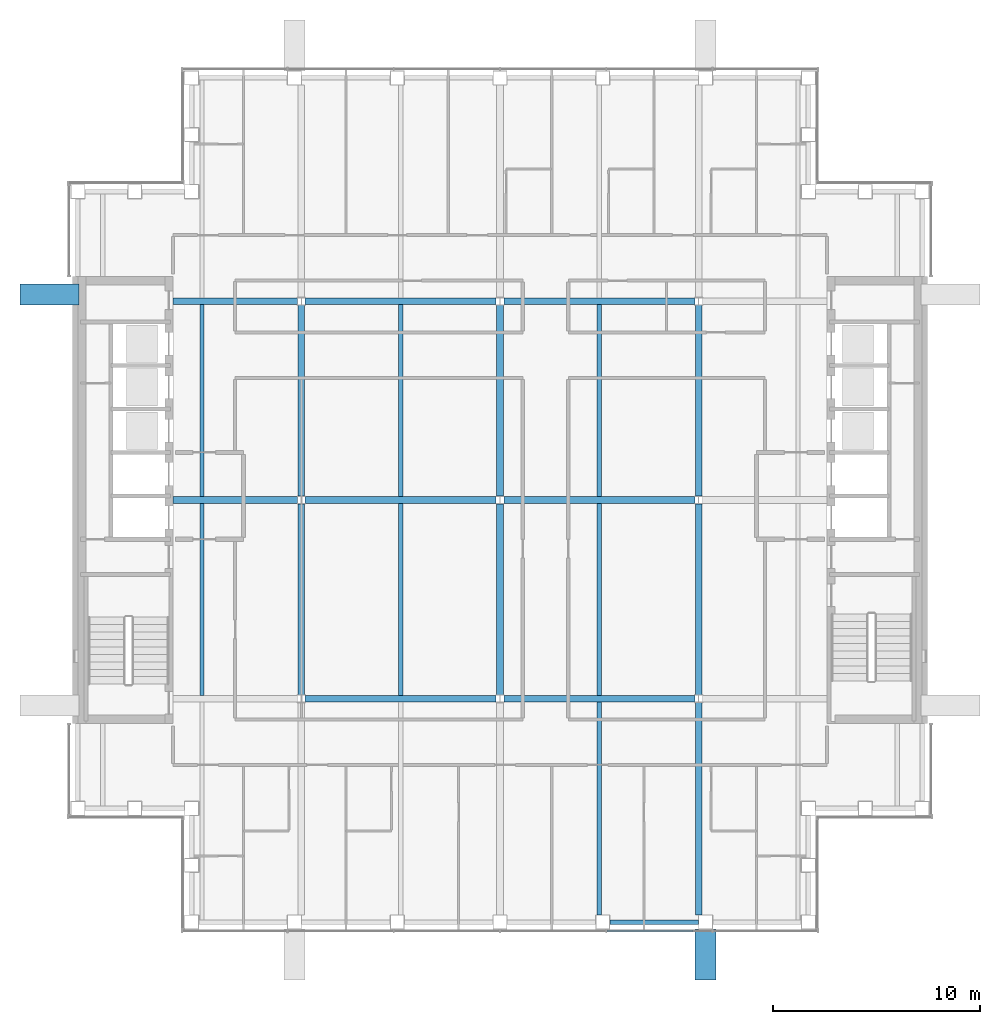
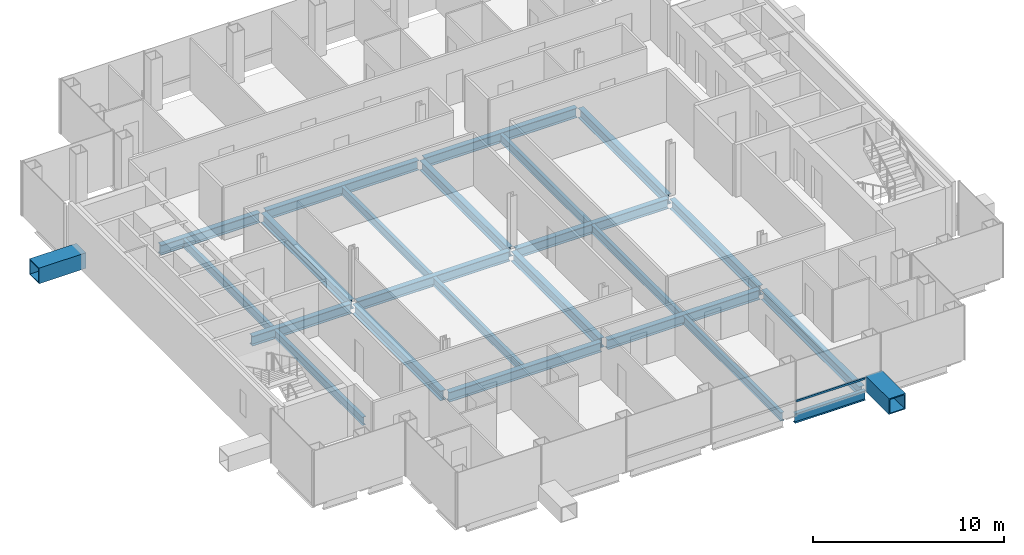
# One storey, part 4 of 14: 25 beams, 1 member, 1 element without a shape of its own.
"""IFC4 building model written with IfcOpenShell, lengths in metres."""

from ifc_helpers import new_model, si_unit, direction, frame, origin, origin_2d, place, context, subcontext, project, spatial, rectangle, hollow_rectangle, i_section, extrude, material, material_profile, profile_set, type_object, element, aggregate, save


model = new_model("IFC4")

# Units and contexts
model_context = context("Model", 3, precision=1e-05, world=origin(), true_north=direction((0.0, 1.0)))
body_context = subcontext(model_context, "Body", "Model", "MODEL_VIEW")
ifc_project = project(units=[si_unit("LENGTHUNIT", "METRE"), si_unit("AREAUNIT", "SQUARE_METRE"), si_unit("VOLUMEUNIT", "CUBIC_METRE"), si_unit("PLANEANGLEUNIT", "RADIAN"), si_unit("MASSUNIT", "GRAM", prefix="KILO")], contexts=[model_context])

# Site, building, storey
site_placement = place(None, origin())
site = spatial("IfcSite", under=ifc_project, at=site_placement, CompositionType="ELEMENT")
building_placement = place(site_placement, origin())
building = spatial("IfcBuilding", under=site, at=building_placement, Name="Cobrizo Arcos Hotel Tower", CompositionType="ELEMENT")
storey_placement = place(building_placement, frame((0.0, 0.0, 208.5)))
storey = spatial("IfcBuildingStorey", under=building, at=storey_placement, Name="L54", CompositionType="ELEMENT", Elevation=208.5)

# Beams
ifc_material_1 = material(Name="Steel ASTM A572 Grade 50", Category="steel")
ifc_material_profile_1 = material_profile(ifc_material_1, hollow_rectangle(XDim=1.0, YDim=1.0, WallThickness=0.06005859375, at=origin_2d()), Name="BOX 1000X1000X60")
ifc_profile_set_1 = profile_set([ifc_material_profile_1], Name="Steel ASTM A572 Grade 50")
beam_type_1 = type_object("IfcBeamType", Name="BOX 1000X1000X60 brace connector strut", PredefinedType="BEAM", material=ifc_profile_set_1)
beam_1_placement = place(storey_placement, frame((9.933349609375, -20.739990234375, 0.5), z_axis=(0.0, -1.0, 0.0), x_axis=(1.0, 0.0, 0.0)))
element("IfcBeam", 1, at=beam_1_placement, inside=storey, type_object=beam_type_1, Name="Perimeter brace stub BS1, zone Z4, south face, offset +9.93 m, L54", PredefinedType="BEAM", context=body_context, shape_type="SweptSolid", body=[
    extrude(hollow_rectangle(XDim=1.0, YDim=1.0, WallThickness=0.06005859375, at=origin_2d()), origin(), (0.0, 0.0, 1.0), 2.455078125),
])
beam_2_placement = place(storey_placement, frame((-20.35009765625, 9.933349609375, 0.5), z_axis=(-1.0, 0.0, 0.0), x_axis=(0.0, -1.0, 0.0)))
element("IfcBeam", 2, at=beam_2_placement, inside=storey, type_object=beam_type_1, Name="Perimeter brace stub BS1, zone Z4, west face, offset +9.93 m, L54", PredefinedType="BEAM", context=body_context, shape_type="SweptSolid", body=[
    extrude(hollow_rectangle(XDim=1.0, YDim=1.0, WallThickness=0.06005859375, at=origin_2d()), origin(), (0.0, 0.0, 1.0), 2.844970703125),
])

# Curtain wall, member
ifc_material_2 = material(Name="Aluminium 6063-T6 anodised bronze", Category="aluminium")
curtain_wall_type = type_object("IfcCurtainWallType", Name="CW-A guest facade", PredefinedType="NOTDEFINED", material=ifc_material_2)
curtain_wall_placement = place(storey_placement, origin())
curtain_wall = element("IfcCurtainWall", 3, at=curtain_wall_placement, inside=storey, type_object=curtain_wall_type, Name="CW-A L54 S face", PredefinedType="NOTDEFINED")
ifc_material_profile_2 = material_profile(ifc_material_2, rectangle(XDim=0.10009765625, YDim=0.1201171875, at=origin_2d()), Name="CW-A transom 120x100")
ifc_profile_set_2 = profile_set([ifc_material_profile_2], Name="Aluminium 6063-T6 anodised bronze")
member_type = type_object("IfcMemberType", Name="CW-A transom 120x100", PredefinedType="USERDEFINED", material=ifc_profile_set_2)
member_placement = place(storey_placement, frame((5.163330078125, -20.824951171875, 0.929931640625), z_axis=(1.0, 0.0, 0.0), x_axis=(0.0, 1.0, 0.0)))
member = element("IfcMember", 4, at=member_placement, type_object=member_type, Name="CW-A transom 1820", ObjectType="TRANSOM", PredefinedType="USERDEFINED", context=body_context, shape_type="SweptSolid", body=[
    extrude(rectangle(XDim=0.10009765625, YDim=0.1201171875, at=origin_2d()), origin(), (0.0, 0.0, 1.0), 4.169921875),
])
aggregate(curtain_wall, [member])

# Beams
ifc_material_3 = material(Name="Steel ASTM A992 Grade 50", Category="steel")
ifc_material_profile_3 = material_profile(ifc_material_3, i_section(OverallWidth=0.209228515625, OverallDepth=0.533447265625, WebThickness=0.01025390625, FlangeThickness=0.015625, at=origin_2d()), Name="W21X62")
ifc_profile_set_3 = profile_set([ifc_material_profile_3], Name="Steel ASTM A992 Grade 50")
beam_type_2 = type_object("IfcBeamType", Name="W21X62 joist", PredefinedType="JOIST", material=ifc_profile_set_3)
for number, where, z_axis, x_axis, name in (
    (5, (-14.39990234375, -9.43603515625, -0.416748046875), (0.0, 1.0, 0.0), (-1.0, 0.0, 0.0), "Floor joist J1, L54, no. 004"),
    (6, (-14.39990234375, 0.163818359375, -0.416748046875), (0.0, 1.0, 0.0), (-1.0, 0.0, 0.0), "Floor joist J1, L54, no. 005"),
    (7, (-4.800048828125, -9.43603515625, -0.416748046875), (0.0, 1.0, 0.0), (-1.0, 0.0, 0.0), "Floor joist J1, L54, no. 008"),
    (8, (-4.800048828125, 0.163818359375, -0.416748046875), (0.0, 1.0, 0.0), (-1.0, 0.0, 0.0), "Floor joist J1, L54, no. 009"),
):
    element("IfcBeam", number, at=place(storey_placement, frame(where, z_axis=z_axis, x_axis=x_axis)), inside=storey, type_object=beam_type_2, Name=name, PredefinedType="JOIST", context=body_context, shape_type="SweptSolid", body=[
        extrude(i_section(OverallWidth=0.209228515625, OverallDepth=0.533447265625, WebThickness=0.01025390625, FlangeThickness=0.015625, at=origin_2d()), origin(), (0.0, 0.0, 1.0), 9.272216796875),
    ])
beam_3_placement = place(storey_placement, frame((4.800048828125, -20.050048828125, -0.416748046875), z_axis=(0.0, 1.0, 0.0), x_axis=(-1.0, 0.0, 0.0)))
element("IfcBeam", 9, at=beam_3_placement, inside=storey, type_object=beam_type_2, Name="Floor joist J1, L54, no. 011", PredefinedType="JOIST", context=body_context, shape_type="SweptSolid", body=[
    extrude(i_section(OverallWidth=0.209228515625, OverallDepth=0.533447265625, WebThickness=0.01025390625, FlangeThickness=0.015625, at=origin_2d()), origin(), (0.0, 0.0, 1.0), 10.2861328125),
])
for number, where, z_axis, x_axis, name in (
    (10, (4.800048828125, -9.43603515625, -0.416748046875), (0.0, 1.0, 0.0), (-1.0, 0.0, 0.0), "Floor joist J1, L54, no. 012"),
    (11, (4.800048828125, 0.163818359375, -0.416748046875), (0.0, 1.0, 0.0), (-1.0, 0.0, 0.0), "Floor joist J1, L54, no. 013"),
):
    element("IfcBeam", number, at=place(storey_placement, frame(where, z_axis=z_axis, x_axis=x_axis)), inside=storey, type_object=beam_type_2, Name=name, PredefinedType="JOIST", context=body_context, shape_type="SweptSolid", body=[
        extrude(i_section(OverallWidth=0.209228515625, OverallDepth=0.533447265625, WebThickness=0.01025390625, FlangeThickness=0.015625, at=origin_2d()), origin(), (0.0, 0.0, 1.0), 9.272216796875),
    ])
ifc_material_profile_4 = material_profile(ifc_material_3, i_section(OverallWidth=0.32763671875, OverallDepth=0.622314453125, WebThickness=0.015380859375, FlangeThickness=0.0244140625, at=origin_2d()), Name="W24X131")
ifc_profile_set_4 = profile_set([ifc_material_profile_4], Name="Steel ASTM A992 Grade 50")
beam_type_3 = type_object("IfcBeamType", Name="W24X131 girder", PredefinedType="BEAM", material=ifc_profile_set_4)
for number, where, z_axis, x_axis, name in (
    (12, (-9.413330078125, -9.60009765625, -0.461181640625), (1.0, 0.0, 0.0), (0.0, 1.0, 0.0), "Floor girder G1, L54, no. 002"),
    (13, (0.186767578125, -9.60009765625, -0.461181640625), (1.0, 0.0, 0.0), (0.0, 1.0, 0.0), "Floor girder G1, L54, no. 003"),
):
    element("IfcBeam", number, at=place(storey_placement, frame(where, z_axis=z_axis, x_axis=x_axis)), inside=storey, type_object=beam_type_3, Name=name, PredefinedType="BEAM", context=body_context, shape_type="SweptSolid", body=[
        extrude(i_section(OverallWidth=0.32763671875, OverallDepth=0.622314453125, WebThickness=0.015380859375, FlangeThickness=0.0244140625, at=origin_2d()), origin(), (0.0, 0.0, 1.0), 9.2265625),
    ])
beam_4_placement = place(storey_placement, frame((-15.7900390625, 0.0, -0.461181640625), z_axis=(1.0, 0.0, 0.0), x_axis=(0.0, 1.0, 0.0)))
element("IfcBeam", 14, at=beam_4_placement, inside=storey, type_object=beam_type_3, Name="Floor girder G1, L54, no. 005", PredefinedType="BEAM", context=body_context, shape_type="SweptSolid", body=[
    extrude(i_section(OverallWidth=0.32763671875, OverallDepth=0.622314453125, WebThickness=0.015380859375, FlangeThickness=0.0244140625, at=origin_2d()), origin(), (0.0, 0.0, 1.0), 6.00341796875),
])
for number, where, z_axis, x_axis, name in (
    (15, (-9.413330078125, 0.0, -0.461181640625), (1.0, 0.0, 0.0), (0.0, 1.0, 0.0), "Floor girder G1, L54, no. 006"),
    (16, (0.186767578125, 0.0, -0.461181640625), (1.0, 0.0, 0.0), (0.0, 1.0, 0.0), "Floor girder G1, L54, no. 007"),
):
    element("IfcBeam", number, at=place(storey_placement, frame(where, z_axis=z_axis, x_axis=x_axis)), inside=storey, type_object=beam_type_3, Name=name, PredefinedType="BEAM", context=body_context, shape_type="SweptSolid", body=[
        extrude(i_section(OverallWidth=0.32763671875, OverallDepth=0.622314453125, WebThickness=0.015380859375, FlangeThickness=0.0244140625, at=origin_2d()), origin(), (0.0, 0.0, 1.0), 9.2265625),
    ])
beam_5_placement = place(storey_placement, frame((-15.7900390625, 9.60009765625, -0.461181640625), z_axis=(1.0, 0.0, 0.0), x_axis=(0.0, 1.0, 0.0)))
element("IfcBeam", 17, at=beam_5_placement, inside=storey, type_object=beam_type_3, Name="Floor girder G1, L54, no. 009", PredefinedType="BEAM", context=body_context, shape_type="SweptSolid", body=[
    extrude(i_section(OverallWidth=0.32763671875, OverallDepth=0.622314453125, WebThickness=0.015380859375, FlangeThickness=0.0244140625, at=origin_2d()), origin(), (0.0, 0.0, 1.0), 6.00341796875),
])
for number, where, z_axis, x_axis, name in (
    (18, (-9.413330078125, 9.60009765625, -0.461181640625), (1.0, 0.0, 0.0), (0.0, 1.0, 0.0), "Floor girder G1, L54, no. 010"),
    (19, (0.186767578125, 9.60009765625, -0.461181640625), (1.0, 0.0, 0.0), (0.0, 1.0, 0.0), "Floor girder G1, L54, no. 011"),
    (20, (-9.60009765625, -9.413330078125, -0.461181640625), (0.0, 1.0, 0.0), (-1.0, 0.0, 0.0), "Floor girder G1, L54, no. 014"),
    (21, (-9.60009765625, 0.186767578125, -0.461181640625), (0.0, 1.0, 0.0), (-1.0, 0.0, 0.0), "Floor girder G1, L54, no. 015"),
    (22, (0.0, -9.413330078125, -0.461181640625), (0.0, 1.0, 0.0), (-1.0, 0.0, 0.0), "Floor girder G1, L54, no. 018"),
    (23, (0.0, 0.186767578125, -0.461181640625), (0.0, 1.0, 0.0), (-1.0, 0.0, 0.0), "Floor girder G1, L54, no. 019"),
):
    element("IfcBeam", number, at=place(storey_placement, frame(where, z_axis=z_axis, x_axis=x_axis)), inside=storey, type_object=beam_type_3, Name=name, PredefinedType="BEAM", context=body_context, shape_type="SweptSolid", body=[
        extrude(i_section(OverallWidth=0.32763671875, OverallDepth=0.622314453125, WebThickness=0.015380859375, FlangeThickness=0.0244140625, at=origin_2d()), origin(), (0.0, 0.0, 1.0), 9.2265625),
    ])
beam_6_placement = place(storey_placement, frame((9.60009765625, -20.050048828125, -0.461181640625), z_axis=(0.0, 1.0, 0.0), x_axis=(-1.0, 0.0, 0.0)))
element("IfcBeam", 24, at=beam_6_placement, inside=storey, type_object=beam_type_3, Name="Floor girder G1, L54, no. 021", PredefinedType="BEAM", context=body_context, shape_type="SweptSolid", body=[
    extrude(i_section(OverallWidth=0.32763671875, OverallDepth=0.622314453125, WebThickness=0.015380859375, FlangeThickness=0.0244140625, at=origin_2d()), origin(), (0.0, 0.0, 1.0), 10.263427734375),
])
for number, where, z_axis, x_axis, name in (
    (25, (9.60009765625, -9.413330078125, -0.461181640625), (0.0, 1.0, 0.0), (-1.0, 0.0, 0.0), "Floor girder G1, L54, no. 022"),
    (26, (9.60009765625, 0.186767578125, -0.461181640625), (0.0, 1.0, 0.0), (-1.0, 0.0, 0.0), "Floor girder G1, L54, no. 023"),
):
    element("IfcBeam", number, at=place(storey_placement, frame(where, z_axis=z_axis, x_axis=x_axis)), inside=storey, type_object=beam_type_3, Name=name, PredefinedType="BEAM", context=body_context, shape_type="SweptSolid", body=[
        extrude(i_section(OverallWidth=0.32763671875, OverallDepth=0.622314453125, WebThickness=0.015380859375, FlangeThickness=0.0244140625, at=origin_2d()), origin(), (0.0, 0.0, 1.0), 9.2265625),
    ])
ifc_material_profile_5 = material_profile(ifc_material_3, i_section(OverallWidth=0.228271484375, OverallDepth=0.607177734375, WebThickness=0.01123046875, FlangeThickness=0.017333984375, at=origin_2d()), Name="W24X76")
ifc_profile_set_5 = profile_set([ifc_material_profile_5], Name="Steel ASTM A992 Grade 50")
beam_type_4 = type_object("IfcBeamType", Name="W24X76 spandrel", PredefinedType="SPANDREL", material=ifc_profile_set_5)
beam_7_placement = place(storey_placement, frame((5.31689453125, -20.39990234375, -0.45361328125), z_axis=(1.0, 0.0, 0.0), x_axis=(0.0, 1.0, 0.0)))
element("IfcBeam", 27, at=beam_7_placement, inside=storey, type_object=beam_type_4, Name="Spandrel beam W24X76, L54, no. 005", PredefinedType="SPANDREL", context=body_context, shape_type="SweptSolid", body=[
    extrude(i_section(OverallWidth=0.228271484375, OverallDepth=0.607177734375, WebThickness=0.01123046875, FlangeThickness=0.017333984375, at=origin_2d()), origin(), (0.0, 0.0, 1.0), 4.26611328125),
])

save(model, "model.ifc")
